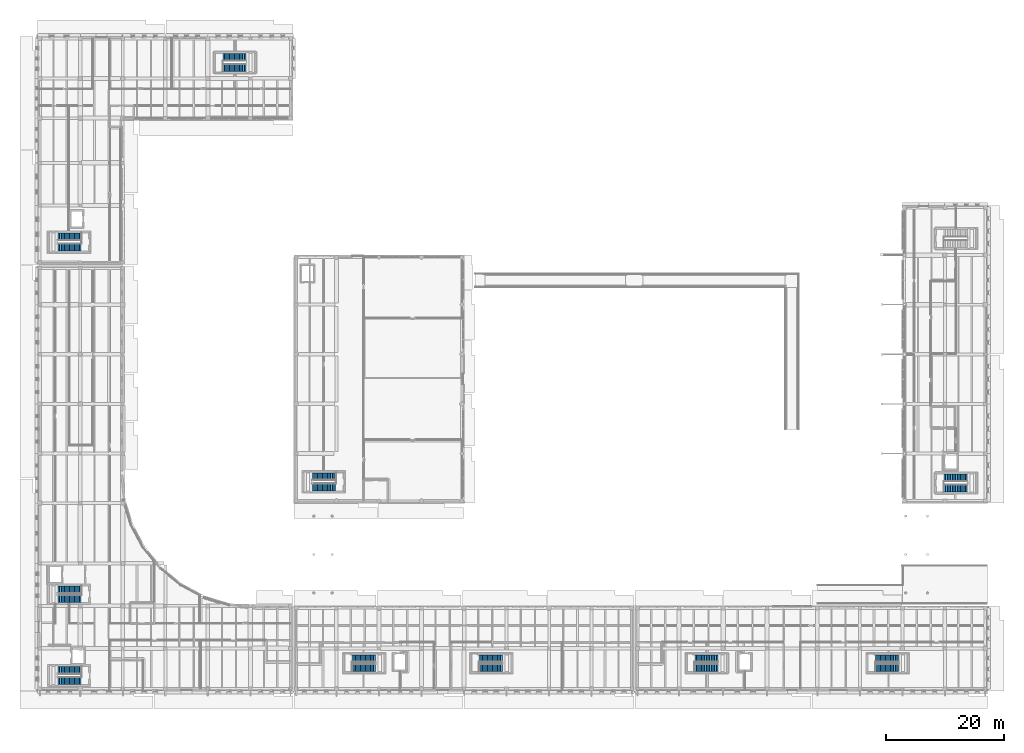
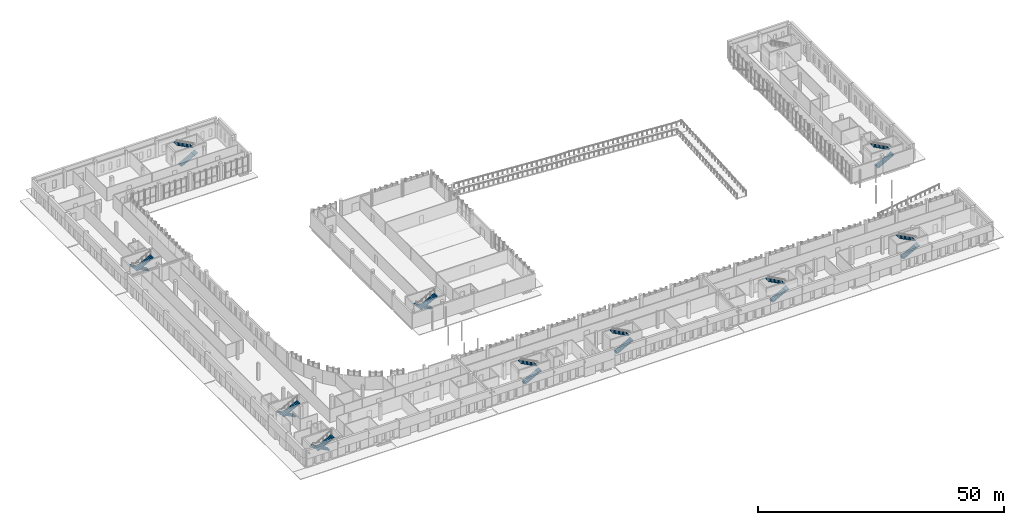
# One storey, part 63 of 77: 20 stair flights, 10 elements without a shape of their own.
"""IFC4 building model written with IfcOpenShell, lengths in metres."""

from ifc_helpers import new_model, si_unit, direction, frame, origin, place, context, subcontext, project, spatial, polyline, outline, extrude, material, type_object, element, aggregate, save


model = new_model("IFC4")

# Units and contexts
model_context = context("Model", 3, precision=1e-05, world=origin(), true_north=direction((0.0, 1.0)))
body_context = subcontext(model_context, "Body", "Model", "MODEL_VIEW")
ifc_project = project(units=[si_unit("LENGTHUNIT", "METRE"), si_unit("AREAUNIT", "SQUARE_METRE"), si_unit("VOLUMEUNIT", "CUBIC_METRE"), si_unit("PLANEANGLEUNIT", "RADIAN"), si_unit("MASSUNIT", "GRAM", prefix="KILO")], contexts=[model_context])

# Site, building, storey
site_placement = place(None, origin())
site = spatial("IfcSite", under=ifc_project, at=site_placement, CompositionType="ELEMENT")
building_placement = place(site_placement, origin())
building = spatial("IfcBuilding", under=site, at=building_placement, Name="Vardoun Plaza Health Centre", CompositionType="ELEMENT")
storey_placement = place(building_placement, origin())
storey = spatial("IfcBuildingStorey", under=building, at=storey_placement, Name="L00", CompositionType="ELEMENT", Elevation=0.0)

# Stair, stair flights
ifc_material_1 = material(Name="Concrete C35/45", Category="concrete")
stair_type = type_object("IfcStairType", Name="ST-01", PredefinedType="HALF_TURN_STAIR", material=ifc_material_1)
stair_1_placement = place(storey_placement, origin())
stair_1 = element("IfcStair", 1, at=stair_1_placement, inside=storey, type_object=stair_type, Name="Core C1 L00 Exit Stair ST-C1-L00", PredefinedType="HALF_TURN_STAIR")
ifc_material_2 = material(Name="Concrete C35/45", Category="concrete")
stair_flight_type = type_object("IfcStairFlightType", Name="SF-01", PredefinedType="STRAIGHT", material=ifc_material_2)
stair_flight_1_placement = place(storey_placement, frame((11.85009765625, 7.97998046875, 0.0), z_axis=(0.0, 0.0, 1.0), x_axis=(-1.0, 0.0, 0.0)))
stair_flight_1 = element("IfcStairFlight", 2, at=stair_flight_1_placement, type_object=stair_flight_type, Name="ST-C1-L00 flight 1", NumberOfRisers=15, NumberOfTreads=14, PredefinedType="STRAIGHT", RiserHeight=0.15, TreadLength=0.28, context=body_context, shape_type="SweptSolid", body=[
    extrude(outline(polyline([(0.0, 0.0), (0.0, 0.14990234375), (0.280029296875, 0.14990234375), (0.280029296875, 0.300048828125), (0.56005859375, 0.300048828125), (0.56005859375, 0.449951171875), (0.840087890625, 0.449951171875), (0.840087890625, 0.60009765625), (1.1201171875, 0.60009765625), (1.1201171875, 0.75), (1.39990234375, 0.75), (1.39990234375, 0.89990234375), (1.679931640625, 0.89990234375), (1.679931640625, 1.050048828125), (1.9599609375, 1.050048828125), (1.9599609375, 1.199951171875), (2.239990234375, 1.199951171875), (2.239990234375, 1.35009765625), (2.52001953125, 1.35009765625), (2.52001953125, 1.5), (2.800048828125, 1.5), (2.800048828125, 1.64990234375), (3.080078125, 1.64990234375), (3.080078125, 1.800048828125), (3.360107421875, 1.800048828125), (3.360107421875, 1.949951171875), (3.639892578125, 1.949951171875), (3.639892578125, 2.10009765625), (3.919921875, 2.10009765625), (3.919921875, 2.25), (3.919921875, 1.929931640625), (0.3173828125, 0.0), (0.0, 0.0)])), frame((0.0, 0.625, 0.0), z_axis=(0.0, -1.0, 0.0), x_axis=(1.0, 0.0, 0.0)), (0.0, 0.0, 1.0), 1.25),
])
stair_flight_2_placement = place(storey_placement, frame((7.929931640625, 6.219970703125, 2.25), z_axis=(0.0, 0.0, 1.0), x_axis=(1.0, 0.0, 0.0)))
stair_flight_2 = element("IfcStairFlight", 3, at=stair_flight_2_placement, type_object=stair_flight_type, Name="ST-C1-L00 flight 2", NumberOfRisers=15, NumberOfTreads=14, PredefinedType="STRAIGHT", RiserHeight=0.15, TreadLength=0.28, context=body_context, shape_type="SweptSolid", body=[
    extrude(outline(polyline([(0.0, 0.0), (0.0, 0.14990234375), (0.280029296875, 0.14990234375), (0.280029296875, 0.300048828125), (0.56005859375, 0.300048828125), (0.56005859375, 0.449951171875), (0.840087890625, 0.449951171875), (0.840087890625, 0.60009765625), (1.1201171875, 0.60009765625), (1.1201171875, 0.75), (1.39990234375, 0.75), (1.39990234375, 0.89990234375), (1.679931640625, 0.89990234375), (1.679931640625, 1.050048828125), (1.9599609375, 1.050048828125), (1.9599609375, 1.199951171875), (2.239990234375, 1.199951171875), (2.239990234375, 1.35009765625), (2.52001953125, 1.35009765625), (2.52001953125, 1.5), (2.800048828125, 1.5), (2.800048828125, 1.64990234375), (3.080078125, 1.64990234375), (3.080078125, 1.800048828125), (3.360107421875, 1.800048828125), (3.360107421875, 1.949951171875), (3.639892578125, 1.949951171875), (3.639892578125, 2.10009765625), (3.919921875, 2.10009765625), (3.919921875, 2.25), (3.919921875, 1.929931640625), (0.3173828125, 0.0), (0.0, 0.0)])), frame((0.0, 0.625, 0.0), z_axis=(0.0, -1.0, 0.0), x_axis=(1.0, 0.0, 0.0)), (0.0, 0.0, 1.0), 1.25),
])
aggregate(stair_1, [stair_flight_1, stair_flight_2])

stair_2_placement = place(storey_placement, origin())
stair_2 = element("IfcStair", 4, at=stair_2_placement, inside=storey, type_object=stair_type, Name="Core C10 L00 Exit Stair ST-C10-L00", PredefinedType="HALF_TURN_STAIR")
stair_flight_3_placement = place(storey_placement, frame((157.949951171875, 38.820068359375, 0.0), z_axis=(0.0, 0.0, 1.0), x_axis=(1.0, 0.0, 0.0)))
stair_flight_3 = element("IfcStairFlight", 5, at=stair_flight_3_placement, type_object=stair_flight_type, Name="ST-C10-L00 flight 1", NumberOfRisers=15, NumberOfTreads=14, PredefinedType="STRAIGHT", RiserHeight=0.15, TreadLength=0.28, context=body_context, shape_type="SweptSolid", body=[
    extrude(outline(polyline([(0.0, 0.0), (0.0, 0.14990234375), (0.280029296875, 0.14990234375), (0.280029296875, 0.300048828125), (0.56005859375, 0.300048828125), (0.56005859375, 0.449951171875), (0.840087890625, 0.449951171875), (0.840087890625, 0.60009765625), (1.1201171875, 0.60009765625), (1.1201171875, 0.75), (1.39990234375, 0.75), (1.39990234375, 0.89990234375), (1.679931640625, 0.89990234375), (1.679931640625, 1.050048828125), (1.9599609375, 1.050048828125), (1.9599609375, 1.199951171875), (2.239990234375, 1.199951171875), (2.239990234375, 1.35009765625), (2.52001953125, 1.35009765625), (2.52001953125, 1.5), (2.800048828125, 1.5), (2.800048828125, 1.64990234375), (3.080078125, 1.64990234375), (3.080078125, 1.800048828125), (3.360107421875, 1.800048828125), (3.360107421875, 1.949951171875), (3.639892578125, 1.949951171875), (3.639892578125, 2.10009765625), (3.919921875, 2.10009765625), (3.919921875, 2.25), (3.919921875, 1.929931640625), (0.3173828125, 0.0), (0.0, 0.0)])), frame((0.0, 0.625, 0.0), z_axis=(0.0, -1.0, 0.0), x_axis=(1.0, 0.0, 0.0)), (0.0, 0.0, 1.0), 1.25),
])
stair_flight_4_placement = place(storey_placement, frame((161.8701171875, 40.580078125, 2.25), z_axis=(0.0, 0.0, 1.0), x_axis=(-1.0, 0.0, 0.0)))
stair_flight_4 = element("IfcStairFlight", 6, at=stair_flight_4_placement, type_object=stair_flight_type, Name="ST-C10-L00 flight 2", NumberOfRisers=15, NumberOfTreads=14, PredefinedType="STRAIGHT", RiserHeight=0.15, TreadLength=0.28, context=body_context, shape_type="SweptSolid", body=[
    extrude(outline(polyline([(0.0, 0.0), (0.0, 0.14990234375), (0.280029296875, 0.14990234375), (0.280029296875, 0.300048828125), (0.56005859375, 0.300048828125), (0.56005859375, 0.449951171875), (0.840087890625, 0.449951171875), (0.840087890625, 0.60009765625), (1.1201171875, 0.60009765625), (1.1201171875, 0.75), (1.39990234375, 0.75), (1.39990234375, 0.89990234375), (1.679931640625, 0.89990234375), (1.679931640625, 1.050048828125), (1.9599609375, 1.050048828125), (1.9599609375, 1.199951171875), (2.239990234375, 1.199951171875), (2.239990234375, 1.35009765625), (2.52001953125, 1.35009765625), (2.52001953125, 1.5), (2.800048828125, 1.5), (2.800048828125, 1.64990234375), (3.080078125, 1.64990234375), (3.080078125, 1.800048828125), (3.360107421875, 1.800048828125), (3.360107421875, 1.949951171875), (3.639892578125, 1.949951171875), (3.639892578125, 2.10009765625), (3.919921875, 2.10009765625), (3.919921875, 2.25), (3.919921875, 1.929931640625), (0.3173828125, 0.0), (0.0, 0.0)])), frame((0.0, 0.625, 0.0), z_axis=(0.0, -1.0, 0.0), x_axis=(1.0, 0.0, 0.0)), (0.0, 0.0, 1.0), 1.25),
])
aggregate(stair_2, [stair_flight_3, stair_flight_4])

stair_3_placement = place(storey_placement, origin())
stair_3 = element("IfcStair", 7, at=stair_3_placement, inside=storey, type_object=stair_type, Name="Core C2 L00 Exit Stair ST-C2-L00", PredefinedType="HALF_TURN_STAIR")
stair_flight_5_placement = place(storey_placement, frame((11.85009765625, 21.6298828125, 0.0), z_axis=(0.0, 0.0, 1.0), x_axis=(-1.0, 0.0, 0.0)))
stair_flight_5 = element("IfcStairFlight", 8, at=stair_flight_5_placement, type_object=stair_flight_type, Name="ST-C2-L00 flight 1", NumberOfRisers=15, NumberOfTreads=14, PredefinedType="STRAIGHT", RiserHeight=0.15, TreadLength=0.28, context=body_context, shape_type="SweptSolid", body=[
    extrude(outline(polyline([(0.0, 0.0), (0.0, 0.14990234375), (0.280029296875, 0.14990234375), (0.280029296875, 0.300048828125), (0.56005859375, 0.300048828125), (0.56005859375, 0.449951171875), (0.840087890625, 0.449951171875), (0.840087890625, 0.60009765625), (1.1201171875, 0.60009765625), (1.1201171875, 0.75), (1.39990234375, 0.75), (1.39990234375, 0.89990234375), (1.679931640625, 0.89990234375), (1.679931640625, 1.050048828125), (1.9599609375, 1.050048828125), (1.9599609375, 1.199951171875), (2.239990234375, 1.199951171875), (2.239990234375, 1.35009765625), (2.52001953125, 1.35009765625), (2.52001953125, 1.5), (2.800048828125, 1.5), (2.800048828125, 1.64990234375), (3.080078125, 1.64990234375), (3.080078125, 1.800048828125), (3.360107421875, 1.800048828125), (3.360107421875, 1.949951171875), (3.639892578125, 1.949951171875), (3.639892578125, 2.10009765625), (3.919921875, 2.10009765625), (3.919921875, 2.25), (3.919921875, 1.929931640625), (0.3173828125, 0.0), (0.0, 0.0)])), frame((0.0, 0.625, 0.0), z_axis=(0.0, -1.0, 0.0), x_axis=(1.0, 0.0, 0.0)), (0.0, 0.0, 1.0), 1.25),
])
stair_flight_6_placement = place(storey_placement, frame((7.929931640625, 20.1201171875, 2.25), z_axis=(0.0, 0.0, 1.0), x_axis=(1.0, 0.0, 0.0)))
stair_flight_6 = element("IfcStairFlight", 9, at=stair_flight_6_placement, type_object=stair_flight_type, Name="ST-C2-L00 flight 2", NumberOfRisers=15, NumberOfTreads=14, PredefinedType="STRAIGHT", RiserHeight=0.15, TreadLength=0.28, context=body_context, shape_type="SweptSolid", body=[
    extrude(outline(polyline([(0.0, 0.0), (0.0, 0.14990234375), (0.280029296875, 0.14990234375), (0.280029296875, 0.300048828125), (0.56005859375, 0.300048828125), (0.56005859375, 0.449951171875), (0.840087890625, 0.449951171875), (0.840087890625, 0.60009765625), (1.1201171875, 0.60009765625), (1.1201171875, 0.75), (1.39990234375, 0.75), (1.39990234375, 0.89990234375), (1.679931640625, 0.89990234375), (1.679931640625, 1.050048828125), (1.9599609375, 1.050048828125), (1.9599609375, 1.199951171875), (2.239990234375, 1.199951171875), (2.239990234375, 1.35009765625), (2.52001953125, 1.35009765625), (2.52001953125, 1.5), (2.800048828125, 1.5), (2.800048828125, 1.64990234375), (3.080078125, 1.64990234375), (3.080078125, 1.800048828125), (3.360107421875, 1.800048828125), (3.360107421875, 1.949951171875), (3.639892578125, 1.949951171875), (3.639892578125, 2.10009765625), (3.919921875, 2.10009765625), (3.919921875, 2.25), (3.919921875, 1.929931640625), (0.3173828125, 0.0), (0.0, 0.0)])), frame((0.0, 0.625, 0.0), z_axis=(0.0, -1.0, 0.0), x_axis=(1.0, 0.0, 0.0)), (0.0, 0.0, 1.0), 1.25),
])
aggregate(stair_3, [stair_flight_5, stair_flight_6])

stair_4_placement = place(storey_placement, origin())
stair_4 = element("IfcStair", 10, at=stair_4_placement, inside=storey, type_object=stair_type, Name="Core C3 L00 Exit Stair ST-C3-L00", PredefinedType="HALF_TURN_STAIR")
stair_flight_7_placement = place(storey_placement, frame((11.85009765625, 81.3798828125, 0.0), z_axis=(0.0, 0.0, 1.0), x_axis=(-1.0, 0.0, 0.0)))
stair_flight_7 = element("IfcStairFlight", 11, at=stair_flight_7_placement, type_object=stair_flight_type, Name="ST-C3-L00 flight 1", NumberOfRisers=15, NumberOfTreads=14, PredefinedType="STRAIGHT", RiserHeight=0.15, TreadLength=0.28, context=body_context, shape_type="SweptSolid", body=[
    extrude(outline(polyline([(0.0, 0.0), (0.0, 0.14990234375), (0.280029296875, 0.14990234375), (0.280029296875, 0.300048828125), (0.56005859375, 0.300048828125), (0.56005859375, 0.449951171875), (0.840087890625, 0.449951171875), (0.840087890625, 0.60009765625), (1.1201171875, 0.60009765625), (1.1201171875, 0.75), (1.39990234375, 0.75), (1.39990234375, 0.89990234375), (1.679931640625, 0.89990234375), (1.679931640625, 1.050048828125), (1.9599609375, 1.050048828125), (1.9599609375, 1.199951171875), (2.239990234375, 1.199951171875), (2.239990234375, 1.35009765625), (2.52001953125, 1.35009765625), (2.52001953125, 1.5), (2.800048828125, 1.5), (2.800048828125, 1.64990234375), (3.080078125, 1.64990234375), (3.080078125, 1.800048828125), (3.360107421875, 1.800048828125), (3.360107421875, 1.949951171875), (3.639892578125, 1.949951171875), (3.639892578125, 2.10009765625), (3.919921875, 2.10009765625), (3.919921875, 2.25), (3.919921875, 1.929931640625), (0.3173828125, 0.0), (0.0, 0.0)])), frame((0.0, 0.625, 0.0), z_axis=(0.0, -1.0, 0.0), x_axis=(1.0, 0.0, 0.0)), (0.0, 0.0, 1.0), 1.25),
])
stair_flight_8_placement = place(storey_placement, frame((7.929931640625, 79.6201171875, 2.25), z_axis=(0.0, 0.0, 1.0), x_axis=(1.0, 0.0, 0.0)))
stair_flight_8 = element("IfcStairFlight", 12, at=stair_flight_8_placement, type_object=stair_flight_type, Name="ST-C3-L00 flight 2", NumberOfRisers=15, NumberOfTreads=14, PredefinedType="STRAIGHT", RiserHeight=0.15, TreadLength=0.28, context=body_context, shape_type="SweptSolid", body=[
    extrude(outline(polyline([(0.0, 0.0), (0.0, 0.14990234375), (0.280029296875, 0.14990234375), (0.280029296875, 0.300048828125), (0.56005859375, 0.300048828125), (0.56005859375, 0.449951171875), (0.840087890625, 0.449951171875), (0.840087890625, 0.60009765625), (1.1201171875, 0.60009765625), (1.1201171875, 0.75), (1.39990234375, 0.75), (1.39990234375, 0.89990234375), (1.679931640625, 0.89990234375), (1.679931640625, 1.050048828125), (1.9599609375, 1.050048828125), (1.9599609375, 1.199951171875), (2.239990234375, 1.199951171875), (2.239990234375, 1.35009765625), (2.52001953125, 1.35009765625), (2.52001953125, 1.5), (2.800048828125, 1.5), (2.800048828125, 1.64990234375), (3.080078125, 1.64990234375), (3.080078125, 1.800048828125), (3.360107421875, 1.800048828125), (3.360107421875, 1.949951171875), (3.639892578125, 1.949951171875), (3.639892578125, 2.10009765625), (3.919921875, 2.10009765625), (3.919921875, 2.25), (3.919921875, 1.929931640625), (0.3173828125, 0.0), (0.0, 0.0)])), frame((0.0, 0.625, 0.0), z_axis=(0.0, -1.0, 0.0), x_axis=(1.0, 0.0, 0.0)), (0.0, 0.0, 1.0), 1.25),
])
aggregate(stair_4, [stair_flight_7, stair_flight_8])

stair_5_placement = place(storey_placement, origin())
stair_5 = element("IfcStair", 13, at=stair_5_placement, inside=storey, type_object=stair_type, Name="Core C4 L00 Exit Stair ST-C4-L00", PredefinedType="HALF_TURN_STAIR")
stair_flight_9_placement = place(storey_placement, frame((35.85009765625, 110.02001953125, 0.0), z_axis=(0.0, 0.0, 1.0), x_axis=(1.0, 0.0, 0.0)))
stair_flight_9 = element("IfcStairFlight", 14, at=stair_flight_9_placement, type_object=stair_flight_type, Name="ST-C4-L00 flight 1", NumberOfRisers=15, NumberOfTreads=14, PredefinedType="STRAIGHT", RiserHeight=0.15, TreadLength=0.28, context=body_context, shape_type="SweptSolid", body=[
    extrude(outline(polyline([(0.0, 0.0), (0.0, 0.14990234375), (0.280029296875, 0.14990234375), (0.280029296875, 0.300048828125), (0.56005859375, 0.300048828125), (0.56005859375, 0.449951171875), (0.840087890625, 0.449951171875), (0.840087890625, 0.60009765625), (1.1201171875, 0.60009765625), (1.1201171875, 0.75), (1.39990234375, 0.75), (1.39990234375, 0.89990234375), (1.679931640625, 0.89990234375), (1.679931640625, 1.050048828125), (1.9599609375, 1.050048828125), (1.9599609375, 1.199951171875), (2.239990234375, 1.199951171875), (2.239990234375, 1.35009765625), (2.52001953125, 1.35009765625), (2.52001953125, 1.5), (2.800048828125, 1.5), (2.800048828125, 1.64990234375), (3.080078125, 1.64990234375), (3.080078125, 1.800048828125), (3.360107421875, 1.800048828125), (3.360107421875, 1.949951171875), (3.639892578125, 1.949951171875), (3.639892578125, 2.10009765625), (3.919921875, 2.10009765625), (3.919921875, 2.25), (3.919921875, 1.929931640625), (0.3173828125, 0.0), (0.0, 0.0)])), frame((0.0, 0.625, 0.0), z_axis=(0.0, -1.0, 0.0), x_axis=(1.0, 0.0, 0.0)), (0.0, 0.0, 1.0), 1.25),
])
stair_flight_10_placement = place(storey_placement, frame((39.77001953125, 111.780029296875, 2.25), z_axis=(0.0, 0.0, 1.0), x_axis=(-1.0, 0.0, 0.0)))
stair_flight_10 = element("IfcStairFlight", 15, at=stair_flight_10_placement, type_object=stair_flight_type, Name="ST-C4-L00 flight 2", NumberOfRisers=15, NumberOfTreads=14, PredefinedType="STRAIGHT", RiserHeight=0.15, TreadLength=0.28, context=body_context, shape_type="SweptSolid", body=[
    extrude(outline(polyline([(0.0, 0.0), (0.0, 0.14990234375), (0.280029296875, 0.14990234375), (0.280029296875, 0.300048828125), (0.56005859375, 0.300048828125), (0.56005859375, 0.449951171875), (0.840087890625, 0.449951171875), (0.840087890625, 0.60009765625), (1.1201171875, 0.60009765625), (1.1201171875, 0.75), (1.39990234375, 0.75), (1.39990234375, 0.89990234375), (1.679931640625, 0.89990234375), (1.679931640625, 1.050048828125), (1.9599609375, 1.050048828125), (1.9599609375, 1.199951171875), (2.239990234375, 1.199951171875), (2.239990234375, 1.35009765625), (2.52001953125, 1.35009765625), (2.52001953125, 1.5), (2.800048828125, 1.5), (2.800048828125, 1.64990234375), (3.080078125, 1.64990234375), (3.080078125, 1.800048828125), (3.360107421875, 1.800048828125), (3.360107421875, 1.949951171875), (3.639892578125, 1.949951171875), (3.639892578125, 2.10009765625), (3.919921875, 2.10009765625), (3.919921875, 2.25), (3.919921875, 1.929931640625), (0.3173828125, 0.0), (0.0, 0.0)])), frame((0.0, 0.625, 0.0), z_axis=(0.0, -1.0, 0.0), x_axis=(1.0, 0.0, 0.0)), (0.0, 0.0, 1.0), 1.25),
])
aggregate(stair_5, [stair_flight_9, stair_flight_10])

stair_6_placement = place(storey_placement, origin())
stair_6 = element("IfcStair", 16, at=stair_6_placement, inside=storey, type_object=stair_type, Name="Core C5 L00 Exit Stair ST-C5-L00", PredefinedType="HALF_TURN_STAIR")
stair_flight_11_placement = place(storey_placement, frame((54.949951171875, 40.780029296875, 0.0), z_axis=(0.0, 0.0, 1.0), x_axis=(-1.0, 0.0, 0.0)))
stair_flight_11 = element("IfcStairFlight", 17, at=stair_flight_11_placement, type_object=stair_flight_type, Name="ST-C5-L00 flight 1", NumberOfRisers=15, NumberOfTreads=14, PredefinedType="STRAIGHT", RiserHeight=0.15, TreadLength=0.28, context=body_context, shape_type="SweptSolid", body=[
    extrude(outline(polyline([(0.0, 0.0), (0.0, 0.14990234375), (0.280029296875, 0.14990234375), (0.280029296875, 0.300048828125), (0.56005859375, 0.300048828125), (0.56005859375, 0.449951171875), (0.840087890625, 0.449951171875), (0.840087890625, 0.60009765625), (1.1201171875, 0.60009765625), (1.1201171875, 0.75), (1.39990234375, 0.75), (1.39990234375, 0.89990234375), (1.679931640625, 0.89990234375), (1.679931640625, 1.050048828125), (1.9599609375, 1.050048828125), (1.9599609375, 1.199951171875), (2.239990234375, 1.199951171875), (2.239990234375, 1.35009765625), (2.52001953125, 1.35009765625), (2.52001953125, 1.5), (2.800048828125, 1.5), (2.800048828125, 1.64990234375), (3.080078125, 1.64990234375), (3.080078125, 1.800048828125), (3.360107421875, 1.800048828125), (3.360107421875, 1.949951171875), (3.639892578125, 1.949951171875), (3.639892578125, 2.10009765625), (3.919921875, 2.10009765625), (3.919921875, 2.25), (3.919921875, 1.929931640625), (0.3173828125, 0.0), (0.0, 0.0)])), frame((0.0, 0.625, 0.0), z_axis=(0.0, -1.0, 0.0), x_axis=(1.0, 0.0, 0.0)), (0.0, 0.0, 1.0), 1.25),
])
stair_flight_12_placement = place(storey_placement, frame((51.030029296875, 39.02001953125, 2.25), z_axis=(0.0, 0.0, 1.0), x_axis=(1.0, 0.0, 0.0)))
stair_flight_12 = element("IfcStairFlight", 18, at=stair_flight_12_placement, type_object=stair_flight_type, Name="ST-C5-L00 flight 2", NumberOfRisers=15, NumberOfTreads=14, PredefinedType="STRAIGHT", RiserHeight=0.15, TreadLength=0.28, context=body_context, shape_type="SweptSolid", body=[
    extrude(outline(polyline([(0.0, 0.0), (0.0, 0.14990234375), (0.280029296875, 0.14990234375), (0.280029296875, 0.300048828125), (0.56005859375, 0.300048828125), (0.56005859375, 0.449951171875), (0.840087890625, 0.449951171875), (0.840087890625, 0.60009765625), (1.1201171875, 0.60009765625), (1.1201171875, 0.75), (1.39990234375, 0.75), (1.39990234375, 0.89990234375), (1.679931640625, 0.89990234375), (1.679931640625, 1.050048828125), (1.9599609375, 1.050048828125), (1.9599609375, 1.199951171875), (2.239990234375, 1.199951171875), (2.239990234375, 1.35009765625), (2.52001953125, 1.35009765625), (2.52001953125, 1.5), (2.800048828125, 1.5), (2.800048828125, 1.64990234375), (3.080078125, 1.64990234375), (3.080078125, 1.800048828125), (3.360107421875, 1.800048828125), (3.360107421875, 1.949951171875), (3.639892578125, 1.949951171875), (3.639892578125, 2.10009765625), (3.919921875, 2.10009765625), (3.919921875, 2.25), (3.919921875, 1.929931640625), (0.3173828125, 0.0), (0.0, 0.0)])), frame((0.0, 0.625, 0.0), z_axis=(0.0, -1.0, 0.0), x_axis=(1.0, 0.0, 0.0)), (0.0, 0.0, 1.0), 1.25),
])
aggregate(stair_6, [stair_flight_11, stair_flight_12])

stair_7_placement = place(storey_placement, origin())
stair_7 = element("IfcStair", 19, at=stair_7_placement, inside=storey, type_object=stair_type, Name="Core C6 L00 Exit Stair ST-C6-L00", PredefinedType="HALF_TURN_STAIR")
stair_flight_13_placement = place(storey_placement, frame((57.75, 8.419921875, 0.0), z_axis=(0.0, 0.0, 1.0), x_axis=(1.0, 0.0, 0.0)))
stair_flight_13 = element("IfcStairFlight", 20, at=stair_flight_13_placement, type_object=stair_flight_type, Name="ST-C6-L00 flight 1", NumberOfRisers=15, NumberOfTreads=14, PredefinedType="STRAIGHT", RiserHeight=0.15, TreadLength=0.28, context=body_context, shape_type="SweptSolid", body=[
    extrude(outline(polyline([(0.0, 0.0), (0.0, 0.14990234375), (0.280029296875, 0.14990234375), (0.280029296875, 0.300048828125), (0.56005859375, 0.300048828125), (0.56005859375, 0.449951171875), (0.840087890625, 0.449951171875), (0.840087890625, 0.60009765625), (1.1201171875, 0.60009765625), (1.1201171875, 0.75), (1.39990234375, 0.75), (1.39990234375, 0.89990234375), (1.679931640625, 0.89990234375), (1.679931640625, 1.050048828125), (1.9599609375, 1.050048828125), (1.9599609375, 1.199951171875), (2.239990234375, 1.199951171875), (2.239990234375, 1.35009765625), (2.52001953125, 1.35009765625), (2.52001953125, 1.5), (2.800048828125, 1.5), (2.800048828125, 1.64990234375), (3.080078125, 1.64990234375), (3.080078125, 1.800048828125), (3.360107421875, 1.800048828125), (3.360107421875, 1.949951171875), (3.639892578125, 1.949951171875), (3.639892578125, 2.10009765625), (3.919921875, 2.10009765625), (3.919921875, 2.25), (3.919921875, 1.929931640625), (0.3173828125, 0.0), (0.0, 0.0)])), frame((0.0, 0.625, 0.0), z_axis=(0.0, -1.0, 0.0), x_axis=(1.0, 0.0, 0.0)), (0.0, 0.0, 1.0), 1.25),
])
stair_flight_14_placement = place(storey_placement, frame((61.669921875, 9.97998046875, 2.25), z_axis=(0.0, 0.0, 1.0), x_axis=(-1.0, 0.0, 0.0)))
stair_flight_14 = element("IfcStairFlight", 21, at=stair_flight_14_placement, type_object=stair_flight_type, Name="ST-C6-L00 flight 2", NumberOfRisers=15, NumberOfTreads=14, PredefinedType="STRAIGHT", RiserHeight=0.15, TreadLength=0.28, context=body_context, shape_type="SweptSolid", body=[
    extrude(outline(polyline([(0.0, 0.0), (0.0, 0.14990234375), (0.280029296875, 0.14990234375), (0.280029296875, 0.300048828125), (0.56005859375, 0.300048828125), (0.56005859375, 0.449951171875), (0.840087890625, 0.449951171875), (0.840087890625, 0.60009765625), (1.1201171875, 0.60009765625), (1.1201171875, 0.75), (1.39990234375, 0.75), (1.39990234375, 0.89990234375), (1.679931640625, 0.89990234375), (1.679931640625, 1.050048828125), (1.9599609375, 1.050048828125), (1.9599609375, 1.199951171875), (2.239990234375, 1.199951171875), (2.239990234375, 1.35009765625), (2.52001953125, 1.35009765625), (2.52001953125, 1.5), (2.800048828125, 1.5), (2.800048828125, 1.64990234375), (3.080078125, 1.64990234375), (3.080078125, 1.800048828125), (3.360107421875, 1.800048828125), (3.360107421875, 1.949951171875), (3.639892578125, 1.949951171875), (3.639892578125, 2.10009765625), (3.919921875, 2.10009765625), (3.919921875, 2.25), (3.919921875, 1.929931640625), (0.3173828125, 0.0), (0.0, 0.0)])), frame((0.0, 0.625, 0.0), z_axis=(0.0, -1.0, 0.0), x_axis=(1.0, 0.0, 0.0)), (0.0, 0.0, 1.0), 1.25),
])
aggregate(stair_7, [stair_flight_13, stair_flight_14])

stair_8_placement = place(storey_placement, origin())
stair_8 = element("IfcStair", 22, at=stair_8_placement, inside=storey, type_object=stair_type, Name="Core C7 L00 Exit Stair ST-C7-L00", PredefinedType="HALF_TURN_STAIR")
stair_flight_15_placement = place(storey_placement, frame((79.25, 8.419921875, 0.0), z_axis=(0.0, 0.0, 1.0), x_axis=(1.0, 0.0, 0.0)))
stair_flight_15 = element("IfcStairFlight", 23, at=stair_flight_15_placement, type_object=stair_flight_type, Name="ST-C7-L00 flight 1", NumberOfRisers=15, NumberOfTreads=14, PredefinedType="STRAIGHT", RiserHeight=0.15, TreadLength=0.28, context=body_context, shape_type="SweptSolid", body=[
    extrude(outline(polyline([(0.0, 0.0), (0.0, 0.14990234375), (0.280029296875, 0.14990234375), (0.280029296875, 0.300048828125), (0.56005859375, 0.300048828125), (0.56005859375, 0.449951171875), (0.840087890625, 0.449951171875), (0.840087890625, 0.60009765625), (1.1201171875, 0.60009765625), (1.1201171875, 0.75), (1.39990234375, 0.75), (1.39990234375, 0.89990234375), (1.679931640625, 0.89990234375), (1.679931640625, 1.050048828125), (1.9599609375, 1.050048828125), (1.9599609375, 1.199951171875), (2.239990234375, 1.199951171875), (2.239990234375, 1.35009765625), (2.52001953125, 1.35009765625), (2.52001953125, 1.5), (2.800048828125, 1.5), (2.800048828125, 1.64990234375), (3.080078125, 1.64990234375), (3.080078125, 1.800048828125), (3.360107421875, 1.800048828125), (3.360107421875, 1.949951171875), (3.639892578125, 1.949951171875), (3.639892578125, 2.10009765625), (3.919921875, 2.10009765625), (3.919921875, 2.25), (3.919921875, 1.929931640625), (0.3173828125, 0.0), (0.0, 0.0)])), frame((0.0, 0.625, 0.0), z_axis=(0.0, -1.0, 0.0), x_axis=(1.0, 0.0, 0.0)), (0.0, 0.0, 1.0), 1.25),
])
stair_flight_16_placement = place(storey_placement, frame((83.169921875, 9.97998046875, 2.25), z_axis=(0.0, 0.0, 1.0), x_axis=(-1.0, 0.0, 0.0)))
stair_flight_16 = element("IfcStairFlight", 24, at=stair_flight_16_placement, type_object=stair_flight_type, Name="ST-C7-L00 flight 2", NumberOfRisers=15, NumberOfTreads=14, PredefinedType="STRAIGHT", RiserHeight=0.15, TreadLength=0.28, context=body_context, shape_type="SweptSolid", body=[
    extrude(outline(polyline([(0.0, 0.0), (0.0, 0.14990234375), (0.280029296875, 0.14990234375), (0.280029296875, 0.300048828125), (0.56005859375, 0.300048828125), (0.56005859375, 0.449951171875), (0.840087890625, 0.449951171875), (0.840087890625, 0.60009765625), (1.1201171875, 0.60009765625), (1.1201171875, 0.75), (1.39990234375, 0.75), (1.39990234375, 0.89990234375), (1.679931640625, 0.89990234375), (1.679931640625, 1.050048828125), (1.9599609375, 1.050048828125), (1.9599609375, 1.199951171875), (2.239990234375, 1.199951171875), (2.239990234375, 1.35009765625), (2.52001953125, 1.35009765625), (2.52001953125, 1.5), (2.800048828125, 1.5), (2.800048828125, 1.64990234375), (3.080078125, 1.64990234375), (3.080078125, 1.800048828125), (3.360107421875, 1.800048828125), (3.360107421875, 1.949951171875), (3.639892578125, 1.949951171875), (3.639892578125, 2.10009765625), (3.919921875, 2.10009765625), (3.919921875, 2.25), (3.919921875, 1.929931640625), (0.3173828125, 0.0), (0.0, 0.0)])), frame((0.0, 0.625, 0.0), z_axis=(0.0, -1.0, 0.0), x_axis=(1.0, 0.0, 0.0)), (0.0, 0.0, 1.0), 1.25),
])
aggregate(stair_8, [stair_flight_15, stair_flight_16])

stair_9_placement = place(storey_placement, origin())
stair_9 = element("IfcStair", 25, at=stair_9_placement, inside=storey, type_object=stair_type, Name="Core C8 L00 Exit Stair ST-C8-L00", PredefinedType="HALF_TURN_STAIR")
stair_flight_17_placement = place(storey_placement, frame((115.75, 8.419921875, 0.0), z_axis=(0.0, 0.0, 1.0), x_axis=(1.0, 0.0, 0.0)))
stair_flight_17 = element("IfcStairFlight", 26, at=stair_flight_17_placement, type_object=stair_flight_type, Name="ST-C8-L00 flight 1", NumberOfRisers=15, NumberOfTreads=14, PredefinedType="STRAIGHT", RiserHeight=0.15, TreadLength=0.28, context=body_context, shape_type="SweptSolid", body=[
    extrude(outline(polyline([(0.0, 0.0), (0.0, 0.14990234375), (0.280029296875, 0.14990234375), (0.280029296875, 0.300048828125), (0.56005859375, 0.300048828125), (0.56005859375, 0.449951171875), (0.840087890625, 0.449951171875), (0.840087890625, 0.60009765625), (1.1201171875, 0.60009765625), (1.1201171875, 0.75), (1.39990234375, 0.75), (1.39990234375, 0.89990234375), (1.679931640625, 0.89990234375), (1.679931640625, 1.050048828125), (1.9599609375, 1.050048828125), (1.9599609375, 1.199951171875), (2.239990234375, 1.199951171875), (2.239990234375, 1.35009765625), (2.52001953125, 1.35009765625), (2.52001953125, 1.5), (2.800048828125, 1.5), (2.800048828125, 1.64990234375), (3.080078125, 1.64990234375), (3.080078125, 1.800048828125), (3.360107421875, 1.800048828125), (3.360107421875, 1.949951171875), (3.639892578125, 1.949951171875), (3.639892578125, 2.10009765625), (3.919921875, 2.10009765625), (3.919921875, 2.25), (3.919921875, 1.929931640625), (0.3173828125, 0.0), (0.0, 0.0)])), frame((0.0, 0.625, 0.0), z_axis=(0.0, -1.0, 0.0), x_axis=(1.0, 0.0, 0.0)), (0.0, 0.0, 1.0), 1.25),
])
stair_flight_18_placement = place(storey_placement, frame((119.669921875, 9.97998046875, 2.25), z_axis=(0.0, 0.0, 1.0), x_axis=(-1.0, 0.0, 0.0)))
stair_flight_18 = element("IfcStairFlight", 27, at=stair_flight_18_placement, type_object=stair_flight_type, Name="ST-C8-L00 flight 2", NumberOfRisers=15, NumberOfTreads=14, PredefinedType="STRAIGHT", RiserHeight=0.15, TreadLength=0.28, context=body_context, shape_type="SweptSolid", body=[
    extrude(outline(polyline([(0.0, 0.0), (0.0, 0.14990234375), (0.280029296875, 0.14990234375), (0.280029296875, 0.300048828125), (0.56005859375, 0.300048828125), (0.56005859375, 0.449951171875), (0.840087890625, 0.449951171875), (0.840087890625, 0.60009765625), (1.1201171875, 0.60009765625), (1.1201171875, 0.75), (1.39990234375, 0.75), (1.39990234375, 0.89990234375), (1.679931640625, 0.89990234375), (1.679931640625, 1.050048828125), (1.9599609375, 1.050048828125), (1.9599609375, 1.199951171875), (2.239990234375, 1.199951171875), (2.239990234375, 1.35009765625), (2.52001953125, 1.35009765625), (2.52001953125, 1.5), (2.800048828125, 1.5), (2.800048828125, 1.64990234375), (3.080078125, 1.64990234375), (3.080078125, 1.800048828125), (3.360107421875, 1.800048828125), (3.360107421875, 1.949951171875), (3.639892578125, 1.949951171875), (3.639892578125, 2.10009765625), (3.919921875, 2.10009765625), (3.919921875, 2.25), (3.919921875, 1.929931640625), (0.3173828125, 0.0), (0.0, 0.0)])), frame((0.0, 0.625, 0.0), z_axis=(0.0, -1.0, 0.0), x_axis=(1.0, 0.0, 0.0)), (0.0, 0.0, 1.0), 1.25),
])
aggregate(stair_9, [stair_flight_17, stair_flight_18])

stair_10_placement = place(storey_placement, origin())
stair_10 = element("IfcStair", 28, at=stair_10_placement, inside=storey, type_object=stair_type, Name="Core C9 L00 Exit Stair ST-C9-L00", PredefinedType="HALF_TURN_STAIR")
stair_flight_19_placement = place(storey_placement, frame((146.35009765625, 8.419921875, 0.0), z_axis=(0.0, 0.0, 1.0), x_axis=(1.0, 0.0, 0.0)))
stair_flight_19 = element("IfcStairFlight", 29, at=stair_flight_19_placement, type_object=stair_flight_type, Name="ST-C9-L00 flight 1", NumberOfRisers=15, NumberOfTreads=14, PredefinedType="STRAIGHT", RiserHeight=0.15, TreadLength=0.28, context=body_context, shape_type="SweptSolid", body=[
    extrude(outline(polyline([(0.0, 0.0), (0.0, 0.14990234375), (0.280029296875, 0.14990234375), (0.280029296875, 0.300048828125), (0.56005859375, 0.300048828125), (0.56005859375, 0.449951171875), (0.840087890625, 0.449951171875), (0.840087890625, 0.60009765625), (1.1201171875, 0.60009765625), (1.1201171875, 0.75), (1.39990234375, 0.75), (1.39990234375, 0.89990234375), (1.679931640625, 0.89990234375), (1.679931640625, 1.050048828125), (1.9599609375, 1.050048828125), (1.9599609375, 1.199951171875), (2.239990234375, 1.199951171875), (2.239990234375, 1.35009765625), (2.52001953125, 1.35009765625), (2.52001953125, 1.5), (2.800048828125, 1.5), (2.800048828125, 1.64990234375), (3.080078125, 1.64990234375), (3.080078125, 1.800048828125), (3.360107421875, 1.800048828125), (3.360107421875, 1.949951171875), (3.639892578125, 1.949951171875), (3.639892578125, 2.10009765625), (3.919921875, 2.10009765625), (3.919921875, 2.25), (3.919921875, 1.929931640625), (0.3173828125, 0.0), (0.0, 0.0)])), frame((0.0, 0.625, 0.0), z_axis=(0.0, -1.0, 0.0), x_axis=(1.0, 0.0, 0.0)), (0.0, 0.0, 1.0), 1.25),
])
stair_flight_20_placement = place(storey_placement, frame((150.27001953125, 9.97998046875, 2.25), z_axis=(0.0, 0.0, 1.0), x_axis=(-1.0, 0.0, 0.0)))
stair_flight_20 = element("IfcStairFlight", 30, at=stair_flight_20_placement, type_object=stair_flight_type, Name="ST-C9-L00 flight 2", NumberOfRisers=15, NumberOfTreads=14, PredefinedType="STRAIGHT", RiserHeight=0.15, TreadLength=0.28, context=body_context, shape_type="SweptSolid", body=[
    extrude(outline(polyline([(0.0, 0.0), (0.0, 0.14990234375), (0.280029296875, 0.14990234375), (0.280029296875, 0.300048828125), (0.56005859375, 0.300048828125), (0.56005859375, 0.449951171875), (0.840087890625, 0.449951171875), (0.840087890625, 0.60009765625), (1.1201171875, 0.60009765625), (1.1201171875, 0.75), (1.39990234375, 0.75), (1.39990234375, 0.89990234375), (1.679931640625, 0.89990234375), (1.679931640625, 1.050048828125), (1.9599609375, 1.050048828125), (1.9599609375, 1.199951171875), (2.239990234375, 1.199951171875), (2.239990234375, 1.35009765625), (2.52001953125, 1.35009765625), (2.52001953125, 1.5), (2.800048828125, 1.5), (2.800048828125, 1.64990234375), (3.080078125, 1.64990234375), (3.080078125, 1.800048828125), (3.360107421875, 1.800048828125), (3.360107421875, 1.949951171875), (3.639892578125, 1.949951171875), (3.639892578125, 2.10009765625), (3.919921875, 2.10009765625), (3.919921875, 2.25), (3.919921875, 1.929931640625), (0.3173828125, 0.0), (0.0, 0.0)])), frame((0.0, 0.625, 0.0), z_axis=(0.0, -1.0, 0.0), x_axis=(1.0, 0.0, 0.0)), (0.0, 0.0, 1.0), 1.25),
])
aggregate(stair_10, [stair_flight_19, stair_flight_20])

save(model, "model.ifc")
